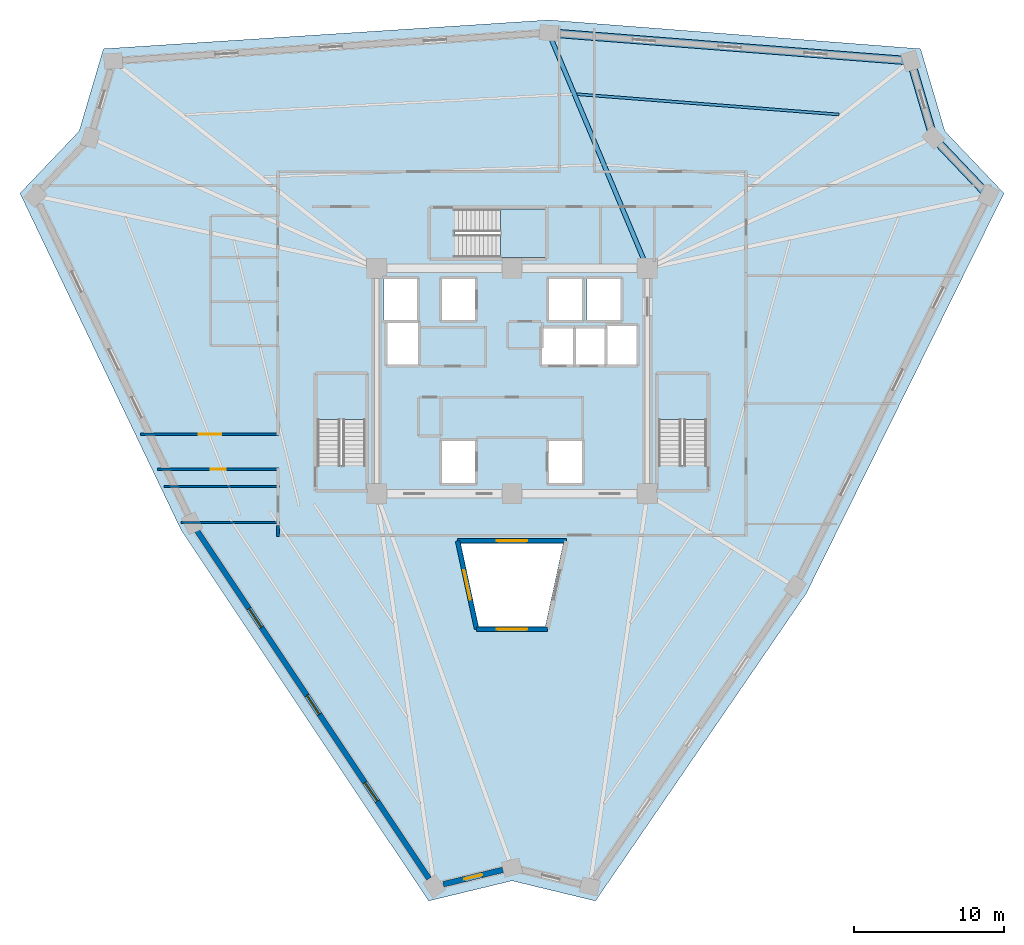
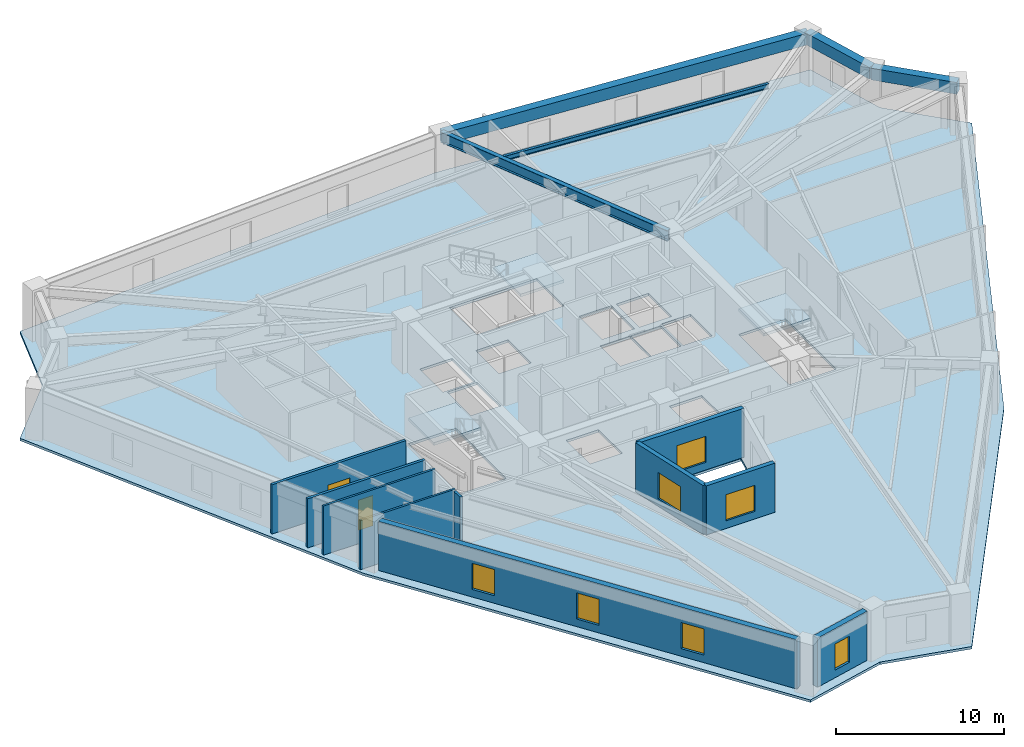
# One storey, part 2 of 8: 10 walls, 7 windows, 5 beams, 4 slabs, 2 doors, 9 openings, 3 elements without a shape of their own.
"""IFC4 building model written with IfcOpenShell, lengths in metres."""

import ifcopenshell
import ifcopenshell.guid

model = None  # the IFC model being written
_history = None  # IfcOwnerHistory: only IFC2X3 demands one
_inside = {}  # id of a spatial element -> (the spatial element, [elements in it])
_under = {}  # id of a project, library or spatial element -> (it, [spatial elements below it])
_declared = {}  # id of a project -> (the project, [libraries it declares])
_typed = {}  # id of a type object -> (the type object, [elements of that type])
_made_of = {}  # id of a material, layer set ... -> (it, [elements and type objects made of it])


def new_model(schema):
    """Start an empty IFC model of exactly this schema.

    Asked for "IFC4X3", IfcOpenShell would pick the latest addendum, in which some entities
    have other attributes; the version numbers below select the first issue.
    IFC2X3 requires an IfcOwnerHistory on every rooted entity: one is made here for all.
    """
    global model, _history
    if schema == "IFC4X3":
        model = ifcopenshell.file(schema_version=(4, 3, 0, 0))
    else:
        model = ifcopenshell.file(schema=schema)
    _inside.clear()
    _under.clear()
    _declared.clear()
    _typed.clear()
    _made_of.clear()
    _history = None
    if model.schema == "IFC2X3":
        org = make("IfcOrganization", Name="unknown")
        user = make(
            "IfcPersonAndOrganization",
            ThePerson=make("IfcPerson", FamilyName="unknown"),
            TheOrganization=org,
        )
        app = make(
            "IfcApplication",
            ApplicationDeveloper=org,
            Version="unknown",
            ApplicationFullName="unknown",
            ApplicationIdentifier="unknown",
        )
        _history = make(
            "IfcOwnerHistory",
            OwningUser=user,
            OwningApplication=app,
            ChangeAction="ADDED",
            CreationDate=0,
        )
    return model


def make(cls, **values):
    """One entity of the class cls with the attributes given. An attribute that is None is left unset."""
    return model.create_entity(
        cls, **{name: value for name, value in values.items() if value is not None}
    )


def rooted(cls, **values):
    """An entity with a GlobalId (a new one), such as an element, a storey or a relation."""
    return make(cls, GlobalId=ifcopenshell.guid.new(), OwnerHistory=_history, **values)


def si_unit(unit_type, name, prefix=None):
    """IfcSIUnit, for example si_unit("LENGTHUNIT", "METRE", prefix="MILLI")."""
    return make("IfcSIUnit", UnitType=unit_type, Prefix=prefix, Name=name)


def assignment(units):
    """IfcUnitAssignment: the units of a project."""
    return None if units is None else make("IfcUnitAssignment", Units=units)


def point(xyz):
    """IfcCartesianPoint."""
    return None if xyz is None else make("IfcCartesianPoint", Coordinates=xyz)


def direction(xyz):
    """IfcDirection."""
    return None if xyz is None else make("IfcDirection", DirectionRatios=xyz)


def frame(location, z_axis=None, x_axis=None):
    """IfcAxis2Placement3D, a coordinate frame: its origin and axes. An axis left out is left unset."""
    return make(
        "IfcAxis2Placement3D",
        Location=point(location),
        Axis=direction(z_axis),
        RefDirection=direction(x_axis),
    )


def frame_2d(location, x_axis=None):
    """IfcAxis2Placement2D, a coordinate frame in the plane: its origin and x axis."""
    return make(
        "IfcAxis2Placement2D", Location=point(location), RefDirection=direction(x_axis)
    )


def origin():
    """The frame at (0, 0, 0) with its axes left unset."""
    return frame((0.0, 0.0, 0.0))


def origin_2d():
    """The frame at (0, 0) in the plane with its x axis left unset."""
    return frame_2d((0.0, 0.0))


def place(relative_to, where):
    """IfcLocalPlacement: puts the frame where relative to a parent placement (None: the world)."""
    return make(
        "IfcLocalPlacement", PlacementRelTo=relative_to, RelativePlacement=where
    )


def context(
    kind, dimensions, precision=None, world=None, true_north=None, identifier=None
):
    """IfcGeometricRepresentationContext, for example the 3D "Model" context."""
    return make(
        "IfcGeometricRepresentationContext",
        ContextIdentifier=identifier,
        ContextType=kind,
        CoordinateSpaceDimension=dimensions,
        Precision=precision,
        WorldCoordinateSystem=world,
        TrueNorth=true_north,
    )


def subcontext(parent, identifier, kind, view, scale=None):
    """IfcGeometricRepresentationSubContext, for example "Body" below "Model"."""
    return make(
        "IfcGeometricRepresentationSubContext",
        ContextIdentifier=identifier,
        ContextType=kind,
        ParentContext=parent,
        TargetScale=scale,
        TargetView=view,
    )


def project(units=None, contexts=None):
    """IfcProject with its units and contexts."""
    return rooted(
        "IfcProject",
        Name="project",
        RepresentationContexts=contexts,
        UnitsInContext=assignment(units),
    )


def spatial(cls, under=None, at=None, **own):
    """A site, building, storey or space (cls), placed at a placement, below another one or the project."""
    s = rooted(cls, ObjectPlacement=at, **own)
    if under is not None:
        _under.setdefault(under.id(), (under, []))[1].append(s)
    return s


def polyline(points):
    """IfcPolyline through the points."""
    return make("IfcPolyline", Points=[point(p) for p in points])


def profile(cls, at=None, kind="AREA", **sizes):
    """A parametric profile (cls). Its sizes go by their IFC names, for example OverallWidth=200.0."""
    return make(cls, ProfileType=kind, Position=at, **sizes)


def rectangle(**sizes):
    """IfcRectangleProfileDef."""
    return profile("IfcRectangleProfileDef", **sizes)


def i_section(**sizes):
    """IfcIShapeProfileDef."""
    return profile("IfcIShapeProfileDef", **sizes)


def outline(outer, holes=None, kind="AREA"):
    """IfcArbitraryClosedProfileDef: a profile drawn as a closed curve; with holes, ...WithVoids."""
    if holes is None:
        return make("IfcArbitraryClosedProfileDef", ProfileType=kind, OuterCurve=outer)
    return make(
        "IfcArbitraryProfileDefWithVoids",
        ProfileType=kind,
        OuterCurve=outer,
        InnerCurves=holes,
    )


def extrude(swept, where, along, depth):
    """IfcExtrudedAreaSolid: the profile swept, set in the frame where, extruded along a direction by depth."""
    return make(
        "IfcExtrudedAreaSolid",
        SweptArea=swept,
        Position=where,
        ExtrudedDirection=direction(along),
        Depth=depth,
    )


def shape(context_of_items, identifier, shape_type, items):
    """IfcShapeRepresentation: the items that make up one representation, for example the "Body"."""
    return make(
        "IfcShapeRepresentation",
        ContextOfItems=context_of_items,
        RepresentationIdentifier=identifier,
        RepresentationType=shape_type,
        Items=items,
    )


def source(mapping_origin, context_of_items, identifier, shape_type, items):
    """IfcRepresentationMap: a shape defined once, which mapped items show again and again."""
    return make(
        "IfcRepresentationMap",
        MappingOrigin=mapping_origin,
        MappedRepresentation=shape(context_of_items, identifier, shape_type, items),
    )


def transform(
    local_origin,
    x_axis=None,
    y_axis=None,
    z_axis=None,
    scale=None,
    scale2=None,
    scale3=None,
    uniform=True,
):
    """IfcCartesianTransformationOperator3D, or its non-uniform kind. x_axis, y_axis, z_axis: its Axis1, 2, 3."""
    if uniform:
        return make(
            "IfcCartesianTransformationOperator3D",
            Axis1=direction(x_axis),
            Axis2=direction(y_axis),
            LocalOrigin=point(local_origin),
            Scale=scale,
            Axis3=direction(z_axis),
        )
    return make(
        "IfcCartesianTransformationOperator3DnonUniform",
        Axis1=direction(x_axis),
        Axis2=direction(y_axis),
        LocalOrigin=point(local_origin),
        Scale=scale,
        Axis3=direction(z_axis),
        Scale2=scale2,
        Scale3=scale3,
    )


def mapped(mapping_source, mapping_target):
    """IfcMappedItem: shows the shape of a source again, moved by a transform."""
    return make(
        "IfcMappedItem", MappingSource=mapping_source, MappingTarget=mapping_target
    )


def material(Name=None, Category=None):
    """IfcMaterial."""
    return make("IfcMaterial", Name=Name, Category=Category)


def layer(
    of_material, thickness, ventilated=None, Name=None, Category=None, Priority=None
):
    """IfcMaterialLayer: one layer of a wall or slab, of a material (None: an air gap)."""
    return make(
        "IfcMaterialLayer",
        Material=of_material,
        LayerThickness=thickness,
        IsVentilated=ventilated,
        Name=Name,
        Category=Category,
        Priority=Priority,
    )


def layer_set(layers, Name=None):
    """IfcMaterialLayerSet."""
    return make("IfcMaterialLayerSet", MaterialLayers=layers, LayerSetName=Name)


def material_profile(
    of_material, cross_section, Name=None, Category=None, Priority=None
):
    """IfcMaterialProfile: a cross section and its material."""
    return make(
        "IfcMaterialProfile",
        Name=Name,
        Material=of_material,
        Profile=cross_section,
        Priority=Priority,
        Category=Category,
    )


def profile_set(profiles, Name=None, composite=None):
    """IfcMaterialProfileSet."""
    return make(
        "IfcMaterialProfileSet",
        Name=Name,
        MaterialProfiles=profiles,
        CompositeProfile=composite,
    )


def made_of(thing, what):
    """Note that an element or type object is made of a material, layer set ...; save() writes the relation."""
    if what is not None:
        _made_of.setdefault(what.id(), (what, []))[1].append(thing)
    return thing


def type_object(cls, material=None, **own):
    """A type object (cls), such as IfcWallType, which elements share."""
    return made_of(rooted(cls, **own), material)


def element(
    cls,
    number,
    at=None,
    inside=None,
    cuts=None,
    type_object=None,
    material=None,
    context=None,
    identifier="Body",
    shape_type=None,
    held_by="IfcProductDefinitionShape",
    body=None,
    shapes=None,
    **own,
):
    """One element of the class cls, such as IfcWall. Its Tag is "e" and its number.

    at: its placement. inside: the storey or other place that contains it. cuts: it is an
    opening in that element (IfcRelVoidsElement). A single representation is given by context,
    identifier, shape_type and body (its items); several are given by shapes. held_by: the class
    of the entity that holds the representations. save() writes the other relations.
    """
    e = rooted(cls, Tag="e%d" % number, ObjectPlacement=at, **own)
    if body is not None:
        shapes = [shape(context, identifier, shape_type, body)]
    if shapes is not None:
        e.Representation = make(held_by, Representations=shapes)
    if inside is not None:
        _inside.setdefault(inside.id(), (inside, []))[1].append(e)
    if cuts is not None:
        rooted(
            "IfcRelVoidsElement", RelatingBuildingElement=cuts, RelatedOpeningElement=e
        )
    if type_object is not None:
        _typed.setdefault(type_object.id(), (type_object, []))[1].append(e)
    return made_of(e, material)


def fill(opening, filler):
    """IfcRelFillsElement: the door or window that sits in an opening."""
    return rooted(
        "IfcRelFillsElement",
        RelatingOpeningElement=opening,
        RelatedBuildingElement=filler,
    )


def aggregate(whole, parts):
    """IfcRelAggregates: a whole, such as a stair, and the parts it consists of."""
    return rooted("IfcRelAggregates", RelatingObject=whole, RelatedObjects=parts)


def save(model, path):
    """Write the relations noted so far, then the file.

    IfcRelAggregates (storeys below a building ...), IfcRelContainedInSpatialStructure (elements
    in a storey), IfcRelDefinesByType, IfcRelAssociatesMaterial and IfcRelDeclares: one each for
    every whole, place, type object, material and project.
    """
    for whole, parts in _under.values():
        aggregate(whole, parts)
    for where, things in _inside.values():
        rooted(
            "IfcRelContainedInSpatialStructure",
            RelatedElements=things,
            RelatingStructure=where,
        )
    for kind, things in _typed.values():
        rooted("IfcRelDefinesByType", RelatedObjects=things, RelatingType=kind)
    for what, things in _made_of.values():
        rooted("IfcRelAssociatesMaterial", RelatedObjects=things, RelatingMaterial=what)
    for by, libraries in _declared.values():
        rooted("IfcRelDeclares", RelatingContext=by, RelatedDefinitions=libraries)
    model.write(path)


model = new_model("IFC4")

# Units and contexts
model_context = context("Model", 3, precision=1e-05, world=origin(), true_north=direction((0.0, 1.0)))
body_context = subcontext(model_context, "Body", "Model", "MODEL_VIEW")
ifc_project = project(units=[si_unit("LENGTHUNIT", "METRE"), si_unit("AREAUNIT", "SQUARE_METRE"), si_unit("VOLUMEUNIT", "CUBIC_METRE"), si_unit("PLANEANGLEUNIT", "RADIAN"), si_unit("MASSUNIT", "GRAM", prefix="KILO")], contexts=[model_context])

# Site, building, storey
site_placement = place(None, origin())
site = spatial("IfcSite", under=ifc_project, at=site_placement, CompositionType="ELEMENT")
building_placement = place(site_placement, origin())
building = spatial("IfcBuilding", under=site, at=building_placement, Name="Liaohun Quay Tower", CompositionType="ELEMENT")
storey_placement = place(building_placement, frame((0.0, 0.0, 262.5)))
storey = spatial("IfcBuildingStorey", under=building, at=storey_placement, Name="L68", CompositionType="ELEMENT", Elevation=262.5)

# Beams
ifc_material_1 = material(Name="Steel Q355D", Category="steel")
ifc_material_profile_1 = material_profile(ifc_material_1, i_section(OverallWidth=0.300048828125, OverallDepth=0.75, WebThickness=0.013916015625, FlangeThickness=0.02587890625, at=origin_2d()), Name="HN750x300x14x26")
ifc_profile_set_1 = profile_set([ifc_material_profile_1], Name="Steel Q355D")
beam_type_1 = type_object("IfcBeamType", Name="BM-RAD-M2", PredefinedType="BEAM", material=ifc_profile_set_1)
shared_shape_1 = source(origin(), body_context, "Body", "SweptSolid", [
    extrude(i_section(OverallWidth=0.300048828125, OverallDepth=0.75, WebThickness=0.013916015625, FlangeThickness=0.02587890625, at=origin_2d()), origin(), (0.0, 0.0, 1.0), 16.9677734375),
])
beam_1_placement = place(storey_placement, frame((69.0, 61.5, 3.195068359375), z_axis=(-0.386676150441, 0.922215568444, 0.0), x_axis=(-0.922215568444, -0.386676150441, 0.0)))
element("IfcBeam", 1, at=beam_1_placement, inside=storey, type_object=beam_type_1, Name="L68 Radial Primary Girder CC4-PC06", PredefinedType="BEAM", context=body_context, shape_type="MappedRepresentation", body=[
    mapped(shared_shape_1, transform((0.0, 0.0, 0.0), x_axis=(1.0, 0.0, 0.0), y_axis=(0.0, 1.0, 0.0), z_axis=(0.0, 0.0, 1.0), scale=1.0)),
])
ifc_material_profile_2 = material_profile(ifc_material_1, i_section(OverallWidth=0.175048828125, OverallDepth=0.35009765625, WebThickness=0.007080078125, FlangeThickness=0.010986328125, at=origin_2d()), Name="HN350x175x7x11")
ifc_profile_set_2 = profile_set([ifc_material_profile_2], Name="Steel Q355D")
beam_type_2 = type_object("IfcBeamType", Name="BM-SEC-J3", PredefinedType="JOIST", material=ifc_profile_set_2)
shared_shape_2 = source(origin(), body_context, "Body", "SweptSolid", [
    extrude(i_section(OverallWidth=0.175048828125, OverallDepth=0.35009765625, WebThickness=0.007080078125, FlangeThickness=0.010986328125, at=origin_2d()), origin(), (0.0, 0.0, 1.0), 17.476318359375),
])
beam_2_placement = place(storey_placement, frame((64.31298828125, 73.06689453125, 3.39501953125), z_axis=(0.997012592682, -0.07723917422, 0.0), x_axis=(0.07723917422, 0.997012592682, 0.0)))
element("IfcBeam", 2, at=beam_2_placement, inside=storey, type_object=beam_type_2, Name="L68 Wing Secondary Floor Joist SJ-09", PredefinedType="JOIST", context=body_context, shape_type="MappedRepresentation", body=[
    mapped(shared_shape_2, transform((0.0, 0.0, 0.0), x_axis=(1.0, 0.0, 0.0), y_axis=(0.0, 1.0, 0.0), z_axis=(0.0, 0.0, 1.0), scale=1.0)),
])
ifc_material_2 = material(Name="Precast concrete C50", Category="concrete")
ifc_material_profile_3 = material_profile(ifc_material_2, rectangle(XDim=0.550048828125, YDim=0.85009765625, at=origin_2d()), Name="RC550x850")
ifc_profile_set_3 = profile_set([ifc_material_profile_3], Name="Precast concrete C50")
beam_type_3 = type_object("IfcBeamType", Name="BM-SPD-Z3", PredefinedType="SPANDREL", material=ifc_profile_set_3)
shared_shape_3 = source(origin(), body_context, "Body", "SweptSolid", [
    extrude(rectangle(XDim=0.550048828125, YDim=0.85009765625, at=origin_2d()), origin(), (0.0, 0.0, 1.0), 24.14404296875),
])
beam_3_placement = place(storey_placement, frame((62.43896484375, 77.14794921875, 3.14501953125), z_axis=(0.997015336738, -0.077203745433, 0.0), x_axis=(0.077203745433, 0.997015336738, 0.0)))
element("IfcBeam", 3, at=beam_3_placement, inside=storey, type_object=beam_type_3, Name="L68 Precast Spandrel Beam PC06-PC07", PredefinedType="SPANDREL", context=body_context, shape_type="MappedRepresentation", body=[
    mapped(shared_shape_3, transform((0.0, 0.0, 0.0), x_axis=(1.0, 0.0, 0.0), y_axis=(0.0, 1.0, 0.0), z_axis=(0.0, 0.0, 1.0), scale=1.0)),
])
shared_shape_4 = source(origin(), body_context, "Body", "SweptSolid", [
    extrude(rectangle(XDim=0.550048828125, YDim=0.85009765625, at=origin_2d()), origin(), (0.0, 0.0, 1.0), 5.325439453125),
])
beam_4_placement = place(storey_placement, frame((86.510986328125, 75.283935546875, 3.14501953125), z_axis=(0.282819041765, -0.959173284456, 0.0), x_axis=(0.959173284456, 0.282819041765, 0.0)))
element("IfcBeam", 4, at=beam_4_placement, inside=storey, type_object=beam_type_3, Name="L68 Precast Spandrel Beam PC07-PC08", PredefinedType="SPANDREL", context=body_context, shape_type="MappedRepresentation", body=[
    mapped(shared_shape_4, transform((0.0, 0.0, 0.0), x_axis=(1.0, 0.0, 0.0), y_axis=(0.0, 1.0, 0.0), z_axis=(0.0, 0.0, 1.0), scale=1.0)),
])
shared_shape_5 = source(origin(), body_context, "Body", "SweptSolid", [
    extrude(rectangle(XDim=0.550048828125, YDim=0.85009765625, at=origin_2d()), origin(), (0.0, 0.0, 1.0), 5.318359375),
])
beam_5_placement = place(storey_placement, frame((88.01708984375, 70.176025390625, 3.14501953125), z_axis=(0.689306630842, -0.7244697155, 0.0), x_axis=(0.7244697155, 0.689306630842, 0.0)))
element("IfcBeam", 5, at=beam_5_placement, inside=storey, type_object=beam_type_3, Name="L68 Precast Spandrel Beam PC08-PC09", PredefinedType="SPANDREL", context=body_context, shape_type="MappedRepresentation", body=[
    mapped(shared_shape_5, transform((0.0, 0.0, 0.0), x_axis=(1.0, 0.0, 0.0), y_axis=(0.0, 1.0, 0.0), z_axis=(0.0, 0.0, 1.0), scale=1.0)),
])

# Stair, slab
ifc_material_3 = material(Name="Concrete C45", Category="concrete")
stair_type = type_object("IfcStairType", Name="STR-CORE-OFF", PredefinedType="HALF_TURN_STAIR", material=ifc_material_3)
stair_1_placement = place(storey_placement, origin())
stair_1 = element("IfcStair", 6, at=stair_1_placement, inside=storey, type_object=stair_type, Name="L68 Smokeproof Core Exit Stair ST-1", PredefinedType="HALF_TURN_STAIR")
ifc_layer_1 = layer(ifc_material_3, 0.199951171875, Name="Concrete C45", Category="concrete")
ifc_layer_set_1 = layer_set([ifc_layer_1], Name="Concrete C45")
slab_type_1 = type_object("IfcSlabType", Name="SLB-LND-200", PredefinedType="LANDING", material=ifc_layer_set_1)
slab_1_placement = place(storey_placement, frame((0.0, 0.0, 1.675048828125)))
slab_1 = element("IfcSlab", 7, at=slab_1_placement, type_object=slab_type_1, Name="ST-1 landing 1", PredefinedType="LANDING", context=body_context, shape_type="SweptSolid", body=[
    extrude(outline(polyline([(50.280029296875, 51.429931640625), (50.280029296875, 54.419921875), (47.0400390625, 54.419921875), (47.0400390625, 51.429931640625), (50.280029296875, 51.429931640625)])), origin(), (0.0, 0.0, 1.0), 0.199951171875),
])
aggregate(stair_1, [slab_1])

stair_2_placement = place(storey_placement, origin())
stair_2 = element("IfcStair", 8, at=stair_2_placement, inside=storey, type_object=stair_type, Name="L68 Smokeproof Core Exit Stair ST-2", PredefinedType="HALF_TURN_STAIR")
slab_2_placement = place(storey_placement, frame((0.0, 0.0, 1.675048828125)))
slab_2 = element("IfcSlab", 9, at=slab_2_placement, type_object=slab_type_1, Name="ST-2 landing 1", PredefinedType="LANDING", context=body_context, shape_type="SweptSolid", body=[
    extrude(outline(polyline([(72.9599609375, 51.429931640625), (72.9599609375, 54.419921875), (69.719970703125, 54.419921875), (69.719970703125, 51.429931640625), (72.9599609375, 51.429931640625)])), origin(), (0.0, 0.0, 1.0), 0.199951171875),
])
aggregate(stair_2, [slab_2])

stair_3_placement = place(storey_placement, origin())
stair_3 = element("IfcStair", 10, at=stair_3_placement, inside=storey, type_object=stair_type, Name="L68 Smokeproof Core Exit Stair ST-3", PredefinedType="HALF_TURN_STAIR")
slab_3_placement = place(storey_placement, frame((0.0, 0.0, 1.675048828125)))
slab_3 = element("IfcSlab", 11, at=slab_3_placement, type_object=slab_type_1, Name="ST-3 landing 1", PredefinedType="LANDING", context=body_context, shape_type="SweptSolid", body=[
    extrude(outline(polyline([(59.22998046875, 62.199951171875), (62.219970703125, 62.199951171875), (62.219970703125, 65.43994140625), (59.22998046875, 65.43994140625), (59.22998046875, 62.199951171875)])), origin(), (0.0, 0.0, 1.0), 0.199951171875),
])
aggregate(stair_3, [slab_3])

# Slab
ifc_layer_2 = layer(ifc_material_3, 0.179931640625, Name="Concrete C45", Category="concrete")
ifc_layer_set_2 = layer_set([ifc_layer_2], Name="Concrete C45")
slab_type_2 = type_object("IfcSlabType", Name="SLB-OFF-180", PredefinedType="FLOOR", material=ifc_layer_set_2)
slab_4_placement = place(storey_placement, frame((0.0, 0.0, -0.179931640625)))
element("IfcSlab", 12, at=slab_4_placement, inside=storey, type_object=slab_type_2, Name="L68 Structural Floor Slab", PredefinedType="FLOOR", context=body_context, shape_type="SweptSolid", body=[
    extrude(outline(polyline([(54.452880859375, 19.43505859375), (60.0, 20.77490234375), (65.547119140625, 19.43505859375), (79.56298828125, 39.883056640625), (92.7080078125, 66.47900390625), (88.77392578125, 70.613037109375), (87.160888671875, 76.0859375), (62.444091796875, 78.0), (32.839111328125, 76.0859375), (31.22607421875, 70.613037109375), (27.2919921875, 66.47900390625), (37.992919921875, 44.116943359375), (54.452880859375, 19.43505859375)]), holes=[polyline([(63.409912109375, 43.199951171875), (56.590087890625, 43.199951171875), (57.782958984375, 37.677978515625), (62.217041015625, 37.677978515625), (63.409912109375, 43.199951171875)]), polyline([(57.56005859375, 47.2099609375), (57.56005859375, 50.030029296875), (55.340087890625, 50.030029296875), (55.340087890625, 47.2099609375), (57.56005859375, 47.2099609375)]), polyline([(50.280029296875, 54.419921875), (47.0400390625, 54.419921875), (47.0400390625, 48.409912109375), (50.280029296875, 48.409912109375), (50.280029296875, 54.419921875)]), polyline([(53.760009765625, 55.090087890625), (53.760009765625, 57.909912109375), (51.7099609375, 57.909912109375), (51.7099609375, 55.090087890625), (53.760009765625, 55.090087890625)]), polyline([(53.7099609375, 58.0400390625), (53.7099609375, 60.7900390625), (51.489990234375, 60.7900390625), (51.489990234375, 58.0400390625), (53.7099609375, 58.0400390625)]), polyline([(57.56005859375, 58.0400390625), (57.56005859375, 60.7900390625), (55.340087890625, 60.7900390625), (55.340087890625, 58.0400390625), (57.56005859375, 58.0400390625)]), polyline([(62.219970703125, 62.199951171875), (62.219970703125, 65.43994140625), (56.2099609375, 65.43994140625), (56.2099609375, 62.199951171875), (62.219970703125, 62.199951171875)]), polyline([(64.659912109375, 50.030029296875), (62.43994140625, 50.030029296875), (62.43994140625, 47.2099609375), (64.659912109375, 47.2099609375), (64.659912109375, 50.030029296875)]), polyline([(72.9599609375, 54.419921875), (69.719970703125, 54.419921875), (69.719970703125, 48.409912109375), (72.9599609375, 48.409912109375), (72.9599609375, 54.419921875)]), polyline([(64.06005859375, 55.090087890625), (64.06005859375, 57.510009765625), (61.989990234375, 57.510009765625), (61.989990234375, 55.090087890625), (64.06005859375, 55.090087890625)]), polyline([(66.159912109375, 55.090087890625), (66.159912109375, 57.510009765625), (64.090087890625, 57.510009765625), (64.090087890625, 55.090087890625), (66.159912109375, 55.090087890625)]), polyline([(68.2900390625, 55.090087890625), (68.2900390625, 57.659912109375), (66.2900390625, 57.659912109375), (66.2900390625, 55.090087890625), (68.2900390625, 55.090087890625)]), polyline([(64.659912109375, 58.0400390625), (64.659912109375, 60.7900390625), (62.43994140625, 60.7900390625), (62.43994140625, 58.0400390625), (64.659912109375, 58.0400390625)]), polyline([(67.2099609375, 58.0400390625), (67.2099609375, 60.7900390625), (64.989990234375, 60.7900390625), (64.989990234375, 58.0400390625), (67.2099609375, 58.0400390625)])]), origin(), (0.0, 0.0, 1.0), 0.179931640625),
])

# Wall, opening, window
ifc_material_4 = material(Name="Concrete C50", Category="concrete")
ifc_layer_3 = layer(ifc_material_4, 0.300048828125, Name="Concrete C50", Category="concrete")
ifc_layer_set_3 = layer_set([ifc_layer_3], Name="Concrete C50")
wall_type_1 = type_object("IfcWallType", Name="WAL-ATR-300", PredefinedType="SOLIDWALL", material=ifc_layer_set_3)
wall_1_placement = place(storey_placement, frame((57.64599609375, 37.508056640625, 0.0), z_axis=(0.0, 0.0, 1.0), x_axis=(-0.211271830319, 0.977427344468, 0.0)))
wall_1 = element("IfcWall", 13, at=wall_1_placement, inside=storey, type_object=wall_type_1, Name="L68 Atrium Fire Compartment Wall 1", PredefinedType="SOLIDWALL", context=body_context, shape_type="SweptSolid", body=[
    extrude(rectangle(XDim=5.99755859375, YDim=0.300048828125, at=frame_2d((2.998779296875, 0.0))), origin(), (0.0, 0.0, 1.0), 3.570068359375),
])
shared_shape_6 = source(origin(), body_context, "Body", "SweptSolid", [
    extrude(rectangle(XDim=2.0, YDim=1.89990234375, at=frame_2d((1.0, 0.949951171875))), frame((0.0, 0.159912109375, 0.0), z_axis=(0.0, -1.0, 0.0), x_axis=(1.0, 0.0, 0.0)), (0.0, 0.0, 1.0), 0.320068359375),
])
opening_1_placement = place(wall_1_placement, frame((1.9990234375, 0.0, 0.550048828125)))
opening_1 = element("IfcOpeningElement", 14, at=opening_1_placement, cuts=wall_1, Name="Opening W07", PredefinedType="OPENING", context=body_context, shape_type="MappedRepresentation", body=[
    mapped(shared_shape_6, transform((0.0, 0.0, 0.0), x_axis=(1.0, 0.0, 0.0), y_axis=(0.0, 1.0, 0.0), z_axis=(0.0, 0.0, 1.0), scale=1.0)),
])
ifc_material_5 = material(Name="Class A 180-min fire-resistant insulated glazing", Category="glass")
window_type_1 = type_object("IfcWindowType", Name="WIN-ATR-FIR", PartitioningType="DOUBLE_PANEL_VERTICAL", PredefinedType="WINDOW", material=ifc_material_5)
shared_shape_7 = source(origin(), body_context, "Body", "SweptSolid", [
    extrude(rectangle(XDim=2.0, YDim=1.89990234375, at=frame_2d((1.0, 0.949951171875))), frame((0.0, 0.030029296875, 0.0), z_axis=(0.0, -1.0, 0.0), x_axis=(1.0, 0.0, 0.0)), (0.0, 0.0, 1.0), 0.06005859375),
])
window_1_placement = place(opening_1_placement, origin())
window_1 = element("IfcWindow", 15, at=window_1_placement, inside=storey, type_object=window_type_1, Name="L68 Atrium Fire-Resistant Glazing W07-1", OverallHeight=1.89990234375, OverallWidth=2.0, PartitioningType="DOUBLE_PANEL_VERTICAL", PredefinedType="WINDOW", context=body_context, shape_type="MappedRepresentation", body=[
    mapped(shared_shape_7, transform((0.0, 0.0, 0.0), x_axis=(1.0, 0.0, 0.0), y_axis=(0.0, 1.0, 0.0), z_axis=(0.0, 0.0, 1.0), scale=1.0)),
])
fill(opening_1, window_1)

wall_2_placement = place(storey_placement, frame((56.37890625, 43.3701171875, 0.0), z_axis=(0.0, 0.0, 1.0), x_axis=(1.0, 0.0, 0.0)))
wall_2 = element("IfcWall", 16, at=wall_2_placement, inside=storey, type_object=wall_type_1, Name="L68 Atrium Fire Compartment Wall 2", PredefinedType="SOLIDWALL", context=body_context, shape_type="SweptSolid", body=[
    extrude(rectangle(XDim=7.2421875, YDim=0.300048828125, at=frame_2d((3.62109375, 0.0))), origin(), (0.0, 0.0, 1.0), 3.570068359375),
])
opening_2_placement = place(wall_2_placement, frame((2.62109375, 0.0, 0.550048828125)))
opening_2 = element("IfcOpeningElement", 17, at=opening_2_placement, cuts=wall_2, Name="Opening W07", PredefinedType="OPENING", context=body_context, shape_type="MappedRepresentation", body=[
    mapped(shared_shape_6, transform((0.0, 0.0, 0.0), x_axis=(1.0, 0.0, 0.0), y_axis=(0.0, 1.0, 0.0), z_axis=(0.0, 0.0, 1.0), scale=1.0)),
])
window_2_placement = place(opening_2_placement, origin())
window_2 = element("IfcWindow", 18, at=window_2_placement, inside=storey, type_object=window_type_1, Name="L68 Atrium Fire-Resistant Glazing W07-2", OverallHeight=1.89990234375, OverallWidth=2.0, PartitioningType="DOUBLE_PANEL_VERTICAL", PredefinedType="WINDOW", context=body_context, shape_type="MappedRepresentation", body=[
    mapped(shared_shape_7, transform((0.0, 0.0, 0.0), x_axis=(1.0, 0.0, 0.0), y_axis=(0.0, 1.0, 0.0), z_axis=(0.0, 0.0, 1.0), scale=1.0)),
])
fill(opening_2, window_2)

wall_3_placement = place(storey_placement, frame((62.35400390625, 37.508056640625, 0.0), z_axis=(0.0, 0.0, 1.0), x_axis=(-1.0, 0.0, 0.0)))
wall_3 = element("IfcWall", 19, at=wall_3_placement, inside=storey, type_object=wall_type_1, Name="L68 Atrium Fire Compartment Wall 4", PredefinedType="SOLIDWALL", context=body_context, shape_type="SweptSolid", body=[
    extrude(rectangle(XDim=4.7080078125, YDim=0.300048828125, at=frame_2d((2.35400390625, 0.0))), origin(), (0.0, 0.0, 1.0), 3.570068359375),
])
opening_3_placement = place(wall_3_placement, frame((1.35400390625, 0.0, 0.550048828125)))
opening_3 = element("IfcOpeningElement", 20, at=opening_3_placement, cuts=wall_3, Name="Opening W07", PredefinedType="OPENING", context=body_context, shape_type="MappedRepresentation", body=[
    mapped(shared_shape_6, transform((0.0, 0.0, 0.0), x_axis=(1.0, 0.0, 0.0), y_axis=(0.0, 1.0, 0.0), z_axis=(0.0, 0.0, 1.0), scale=1.0)),
])
window_3_placement = place(opening_3_placement, origin())
window_3 = element("IfcWindow", 21, at=window_3_placement, inside=storey, type_object=window_type_1, Name="L68 Atrium Fire-Resistant Glazing W07-4", OverallHeight=1.89990234375, OverallWidth=2.0, PartitioningType="DOUBLE_PANEL_VERTICAL", PredefinedType="WINDOW", context=body_context, shape_type="MappedRepresentation", body=[
    mapped(shared_shape_7, transform((0.0, 0.0, 0.0), x_axis=(1.0, 0.0, 0.0), y_axis=(0.0, 1.0, 0.0), z_axis=(0.0, 0.0, 1.0), scale=1.0)),
])
fill(opening_3, window_3)

# Wall, openings, windows
ifc_material_6 = material(Name="Precast concrete C50 insulated sandwich", Category="concrete")
ifc_layer_4 = layer(ifc_material_6, 0.3798828125, Name="Precast concrete C50 insulated sandwich", Category="concrete")
ifc_layer_set_4 = layer_set([ifc_layer_4], Name="Precast concrete C50 insulated sandwich")
wall_type_2 = type_object("IfcWallType", Name="WAL-EXT-Z34", PredefinedType="SOLIDWALL", material=ifc_layer_set_4)
wall_4_placement = place(storey_placement, frame((39.074951171875, 44.02587890625, 0.0), z_axis=(0.0, 0.0, 1.0), x_axis=(0.554862422202, -0.83194212084, 0.0)))
wall_4 = element("IfcWall", 22, at=wall_4_placement, inside=storey, type_object=wall_type_2, Name="L68 Brutalist Precast Pier Wall 11", PredefinedType="SOLIDWALL", context=body_context, shape_type="SweptSolid", body=[
    extrude(rectangle(XDim=27.78173828125, YDim=0.3798828125, at=frame_2d((13.890869140625, 0.0))), origin(), (0.0, 0.0, 1.0), 3.570068359375),
])
shared_shape_8 = source(origin(), body_context, "Body", "SweptSolid", [
    extrude(rectangle(XDim=1.5, YDim=1.89990234375, at=frame_2d((0.75, 0.949951171875))), frame((0.0, 0.199951171875, 0.0), z_axis=(0.0, -1.0, 0.0), x_axis=(1.0, 0.0, 0.0)), (0.0, 0.0, 1.0), 0.39990234375),
])
opening_4_placement = place(wall_4_placement, frame((6.195068359375, 0.0, 0.550048828125)))
opening_4 = element("IfcOpeningElement", 23, at=opening_4_placement, cuts=wall_4, Name="Opening W03", PredefinedType="OPENING", context=body_context, shape_type="MappedRepresentation", body=[
    mapped(shared_shape_8, transform((0.0, 0.0, 0.0), x_axis=(1.0, 0.0, 0.0), y_axis=(0.0, 1.0, 0.0), z_axis=(0.0, 0.0, 1.0), scale=1.0)),
])
opening_5_placement = place(wall_4_placement, frame((13.14111328125, 0.0, 0.550048828125)))
opening_5 = element("IfcOpeningElement", 24, at=opening_5_placement, cuts=wall_4, Name="Opening W03", PredefinedType="OPENING", context=body_context, shape_type="MappedRepresentation", body=[
    mapped(shared_shape_8, transform((0.0, 0.0, 0.0), x_axis=(1.0, 0.0, 0.0), y_axis=(0.0, 1.0, 0.0), z_axis=(0.0, 0.0, 1.0), scale=1.0)),
])
opening_6_placement = place(wall_4_placement, frame((20.0859375, 0.0, 0.550048828125)))
opening_6 = element("IfcOpeningElement", 25, at=opening_6_placement, cuts=wall_4, Name="Opening W03", PredefinedType="OPENING", context=body_context, shape_type="MappedRepresentation", body=[
    mapped(shared_shape_8, transform((0.0, 0.0, 0.0), x_axis=(1.0, 0.0, 0.0), y_axis=(0.0, 1.0, 0.0), z_axis=(0.0, 0.0, 1.0), scale=1.0)),
])
ifc_material_7 = material(Name="Triple Low-E argon glazing in thermally broken aluminium", Category="aluminium")
window_type_2 = type_object("IfcWindowType", Name="WIN-PUN-Z3", PartitioningType="DOUBLE_PANEL_VERTICAL", PredefinedType="WINDOW", material=ifc_material_7)
shared_shape_9 = source(origin(), body_context, "Body", "SweptSolid", [
    extrude(rectangle(XDim=1.5, YDim=1.89990234375, at=frame_2d((0.75, 0.949951171875))), frame((0.0, 0.030029296875, 0.0), z_axis=(0.0, -1.0, 0.0), x_axis=(1.0, 0.0, 0.0)), (0.0, 0.0, 1.0), 0.06005859375),
])
window_4_placement = place(opening_4_placement, origin())
window_4 = element("IfcWindow", 26, at=window_4_placement, inside=storey, type_object=window_type_2, Name="L68 Recessed Cold-Climate Punched Window 11-1", OverallHeight=1.89990234375, OverallWidth=1.5, PartitioningType="DOUBLE_PANEL_VERTICAL", PredefinedType="WINDOW", context=body_context, shape_type="MappedRepresentation", body=[
    mapped(shared_shape_9, transform((0.0, 0.0, 0.0), x_axis=(1.0, 0.0, 0.0), y_axis=(0.0, 1.0, 0.0), z_axis=(0.0, 0.0, 1.0), scale=1.0)),
])
fill(opening_4, window_4)
window_5_placement = place(opening_5_placement, origin())
window_5 = element("IfcWindow", 27, at=window_5_placement, inside=storey, type_object=window_type_2, Name="L68 Recessed Cold-Climate Punched Window 11-2", OverallHeight=1.89990234375, OverallWidth=1.5, PartitioningType="DOUBLE_PANEL_VERTICAL", PredefinedType="WINDOW", context=body_context, shape_type="MappedRepresentation", body=[
    mapped(shared_shape_9, transform((0.0, 0.0, 0.0), x_axis=(1.0, 0.0, 0.0), y_axis=(0.0, 1.0, 0.0), z_axis=(0.0, 0.0, 1.0), scale=1.0)),
])
fill(opening_5, window_5)
window_6_placement = place(opening_6_placement, origin())
window_6 = element("IfcWindow", 28, at=window_6_placement, inside=storey, type_object=window_type_2, Name="L68 Recessed Cold-Climate Punched Window 11-3", OverallHeight=1.89990234375, OverallWidth=1.5, PartitioningType="DOUBLE_PANEL_VERTICAL", PredefinedType="WINDOW", context=body_context, shape_type="MappedRepresentation", body=[
    mapped(shared_shape_9, transform((0.0, 0.0, 0.0), x_axis=(1.0, 0.0, 0.0), y_axis=(0.0, 1.0, 0.0), z_axis=(0.0, 0.0, 1.0), scale=1.0)),
])
fill(opening_6, window_6)

# Wall, opening, window
wall_5_placement = place(storey_placement, frame((55.428955078125, 20.544921875, 0.0), z_axis=(0.0, 0.0, 1.0), x_axis=(0.972030509307, 0.234854612424, 0.0)))
wall_5 = element("IfcWall", 29, at=wall_5_placement, inside=storey, type_object=wall_type_2, Name="L68 Brutalist Precast Pier Wall 12", PredefinedType="SOLIDWALL", context=body_context, shape_type="SweptSolid", body=[
    extrude(rectangle(XDim=4.08740234375, YDim=0.3798828125, at=frame_2d((2.043701171875, 0.0))), origin(), (0.0, 0.0, 1.0), 3.570068359375),
])
shared_shape_10 = source(origin(), body_context, "Body", "SweptSolid", [
    extrude(rectangle(XDim=1.199951171875, YDim=1.89990234375, at=frame_2d((0.60009765625, 0.949951171875))), frame((0.0, 0.199951171875, 0.0), z_axis=(0.0, -1.0, 0.0), x_axis=(1.0, 0.0, 0.0)), (0.0, 0.0, 1.0), 0.39990234375),
])
opening_7_placement = place(wall_5_placement, frame((1.444091796875, 0.0, 0.550048828125)))
opening_7 = element("IfcOpeningElement", 30, at=opening_7_placement, cuts=wall_5, Name="Opening W05", PredefinedType="OPENING", context=body_context, shape_type="MappedRepresentation", body=[
    mapped(shared_shape_10, transform((0.0, 0.0, 0.0), x_axis=(1.0, 0.0, 0.0), y_axis=(0.0, 1.0, 0.0), z_axis=(0.0, 0.0, 1.0), scale=1.0)),
])
ifc_material_8 = material(Name="Triple Low-E corner notch glazing", Category="glass")
window_type_3 = type_object("IfcWindowType", Name="WIN-NOTCH", PartitioningType="SINGLE_PANEL", PredefinedType="WINDOW", material=ifc_material_8)
shared_shape_11 = source(origin(), body_context, "Body", "SweptSolid", [
    extrude(rectangle(XDim=1.199951171875, YDim=1.89990234375, at=frame_2d((0.60009765625, 0.949951171875))), frame((0.0, 0.030029296875, 0.0), z_axis=(0.0, -1.0, 0.0), x_axis=(1.0, 0.0, 0.0)), (0.0, 0.0, 1.0), 0.06005859375),
])
window_7_placement = place(opening_7_placement, origin())
window_7 = element("IfcWindow", 31, at=window_7_placement, inside=storey, type_object=window_type_3, Name="L68 Corner Notch Window W05-12", OverallHeight=1.89990234375, OverallWidth=1.199951171875, PartitioningType="SINGLE_PANEL", PredefinedType="WINDOW", context=body_context, shape_type="MappedRepresentation", body=[
    mapped(shared_shape_11, transform((0.0, 0.0, 0.0), x_axis=(1.0, 0.0, 0.0), y_axis=(0.0, 1.0, 0.0), z_axis=(0.0, 0.0, 1.0), scale=1.0)),
])
fill(opening_7, window_7)

# Wall, opening, door
ifc_material_9 = material(Name="Autoclaved aerated concrete blockwork", Category="masonry")
ifc_layer_5 = layer(ifc_material_9, 0.179931640625, Name="Autoclaved aerated concrete blockwork", Category="masonry")
ifc_layer_set_5 = layer_set([ifc_layer_5], Name="Autoclaved aerated concrete blockwork")
wall_type_3 = type_object("IfcWallType", Name="WAL-PRT-COR", PredefinedType="PARTITIONING", material=ifc_layer_set_5)
wall_6_placement = place(storey_placement, frame((35.30908203125, 50.4599609375, 0.0), z_axis=(0.0, 0.0, 1.0), x_axis=(1.0, 0.0, 0.0)))
wall_6 = element("IfcWall", 32, at=wall_6_placement, inside=storey, type_object=wall_type_3, Name="L68 Interior Partition Wall 016", PredefinedType="PARTITIONING", context=body_context, shape_type="SweptSolid", body=[
    extrude(rectangle(XDim=9.200927734375, YDim=0.179931640625, at=frame_2d((4.6005859375, 0.0))), origin(), (0.0, 0.0, 1.0), 3.570068359375),
])
shared_shape_12 = source(origin(), body_context, "Body", "SweptSolid", [
    extrude(rectangle(XDim=1.5, YDim=2.199951171875, at=frame_2d((0.75, 1.10009765625))), frame((0.0, 0.099853515625, 0.0), z_axis=(0.0, -1.0, 0.0), x_axis=(1.0, 0.0, 0.0)), (0.0, 0.0, 1.0), 0.199951171875),
])
opening_8_placement = place(wall_6_placement, frame((3.85107421875, 0.0, 0.0)))
opening_8 = element("IfcOpeningElement", 33, at=opening_8_placement, cuts=wall_6, Name="Opening OD2", PredefinedType="OPENING", context=body_context, shape_type="MappedRepresentation", body=[
    mapped(shared_shape_12, transform((0.0, 0.0, 0.0), x_axis=(1.0, 0.0, 0.0), y_axis=(0.0, 1.0, 0.0), z_axis=(0.0, 0.0, 1.0), scale=1.0)),
])
ifc_material_10 = material(Name="Acoustic oak veneer double door")
door_type_1 = type_object("IfcDoorType", Name="DOR-OFF-1500", OperationType="DOUBLE_DOOR_SINGLE_SWING", PredefinedType="DOOR", material=ifc_material_10)
shared_shape_13 = source(origin(), body_context, "Body", "SweptSolid", [
    extrude(rectangle(XDim=1.5, YDim=2.199951171875, at=frame_2d((0.75, 1.10009765625))), frame((0.0, 0.02490234375, 0.0), z_axis=(0.0, -1.0, 0.0), x_axis=(1.0, 0.0, 0.0)), (0.0, 0.0, 1.0), 0.050048828125),
])
door_1_placement = place(opening_8_placement, origin())
door_1 = element("IfcDoor", 34, at=door_1_placement, inside=storey, type_object=door_type_1, Name="L68 Client Collaboration Lounge 05 Door", OperationType="DOUBLE_DOOR_SINGLE_SWING", OverallHeight=2.199951171875, OverallWidth=1.5, PredefinedType="DOOR", context=body_context, shape_type="MappedRepresentation", body=[
    mapped(shared_shape_13, transform((0.0, 0.0, 0.0), x_axis=(1.0, 0.0, 0.0), y_axis=(0.0, 1.0, 0.0), z_axis=(0.0, 0.0, 1.0), scale=1.0)),
])
fill(opening_8, door_1)

wall_7_placement = place(storey_placement, frame((44.510009765625, 48.139892578125, 0.0), z_axis=(0.0, 0.0, 1.0), x_axis=(-1.0, 0.0, 0.0)))
wall_7 = element("IfcWall", 35, at=wall_7_placement, inside=storey, type_object=wall_type_3, Name="L68 Interior Partition Wall 017", PredefinedType="PARTITIONING", context=body_context, shape_type="SweptSolid", body=[
    extrude(rectangle(XDim=8.091064453125, YDim=0.179931640625, at=frame_2d((4.04541015625, 0.0))), origin(), (0.0, 0.0, 1.0), 3.570068359375),
])
shared_shape_14 = source(origin(), body_context, "Body", "SweptSolid", [
    extrude(rectangle(XDim=1.0, YDim=2.199951171875, at=frame_2d((0.5, 1.10009765625))), frame((0.0, 0.099853515625, 0.0), z_axis=(0.0, -1.0, 0.0), x_axis=(1.0, 0.0, 0.0)), (0.0, 0.0, 1.0), 0.199951171875),
])
opening_9_placement = place(wall_7_placement, frame((3.5458984375, 0.0, 0.0)))
opening_9 = element("IfcOpeningElement", 36, at=opening_9_placement, cuts=wall_7, Name="Opening OD1", PredefinedType="OPENING", context=body_context, shape_type="MappedRepresentation", body=[
    mapped(shared_shape_14, transform((0.0, 0.0, 0.0), x_axis=(1.0, 0.0, 0.0), y_axis=(0.0, 1.0, 0.0), z_axis=(0.0, 0.0, 1.0), scale=1.0)),
])
ifc_material_11 = material(Name="Solid-core oak veneer timber leaf in steel frame", Category="steel")
door_type_2 = type_object("IfcDoorType", Name="DOR-OFF-1000", OperationType="NOTDEFINED", PredefinedType="DOOR", material=ifc_material_11)
shared_shape_15 = source(origin(), body_context, "Body", "SweptSolid", [
    extrude(rectangle(XDim=1.0, YDim=2.199951171875, at=frame_2d((0.5, 1.10009765625))), frame((0.0, 0.02490234375, 0.0), z_axis=(0.0, -1.0, 0.0), x_axis=(1.0, 0.0, 0.0)), (0.0, 0.0, 1.0), 0.050048828125),
])
door_2_placement = place(opening_9_placement, origin())
door_2 = element("IfcDoor", 37, at=door_2_placement, inside=storey, type_object=door_type_2, Name="L68 Staff Tea Kitchen and Pantry 06 Door", OperationType="SINGLE_SWING_LEFT", OverallHeight=2.199951171875, OverallWidth=1.0, PredefinedType="DOOR", context=body_context, shape_type="MappedRepresentation", body=[
    mapped(shared_shape_15, transform((0.0, 0.0, 0.0), x_axis=(1.0, 0.0, 0.0), y_axis=(0.0, 1.0, 0.0), z_axis=(0.0, 0.0, 1.0), scale=1.0)),
])
fill(opening_9, door_2)

# Walls
wall_8_placement = place(storey_placement, frame((44.43994140625, 43.669921875, 0.0), z_axis=(0.0, 0.0, 1.0), x_axis=(0.0, 1.0, 0.0)))
element("IfcWall", 38, at=wall_8_placement, inside=storey, type_object=wall_type_3, Name="L68 Interior Partition Wall 041", PredefinedType="PARTITIONING", context=body_context, shape_type="SweptSolid", body=[
    extrude(rectangle(XDim=0.715087890625, YDim=0.179931640625, at=frame_2d((0.357421875, 0.0))), origin(), (0.0, 0.0, 1.0), 3.570068359375),
])
ifc_material_12 = material(Name="Gypsum board on twin steel studs", Category="steel")
ifc_layer_6 = layer(ifc_material_12, 0.139892578125, Name="Gypsum board on twin steel studs", Category="steel")
ifc_layer_set_6 = layer_set([ifc_layer_6], Name="Gypsum board on twin steel studs")
wall_type_4 = type_object("IfcWallType", Name="WAL-PRT-OFF", PredefinedType="PARTITIONING", material=ifc_layer_set_6)
wall_9_placement = place(storey_placement, frame((44.5400390625, 44.60009765625, 0.0), z_axis=(0.0, 0.0, 1.0), x_axis=(-1.0, 0.0, 0.0)))
element("IfcWall", 39, at=wall_9_placement, inside=storey, type_object=wall_type_4, Name="L68 Interior Partition Wall 043", PredefinedType="PARTITIONING", context=body_context, shape_type="SweptSolid", body=[
    extrude(rectangle(XDim=6.533935546875, YDim=0.139892578125, at=frame_2d((3.26708984375, 0.0))), origin(), (0.0, 0.0, 1.0), 3.570068359375),
])
wall_10_placement = place(storey_placement, frame((44.5400390625, 47.0, 0.0), z_axis=(0.0, 0.0, 1.0), x_axis=(-1.0, 0.0, 0.0)))
element("IfcWall", 40, at=wall_10_placement, inside=storey, type_object=wall_type_4, Name="L68 Interior Partition Wall 044", PredefinedType="PARTITIONING", context=body_context, shape_type="SweptSolid", body=[
    extrude(rectangle(XDim=7.68310546875, YDim=0.139892578125, at=frame_2d((3.841552734375, 0.0))), origin(), (0.0, 0.0, 1.0), 3.570068359375),
])

save(model, "model.ifc")
